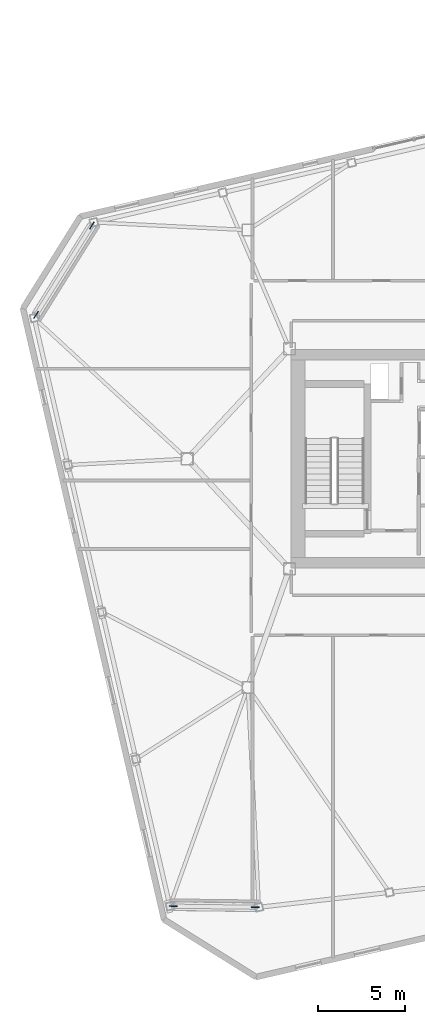
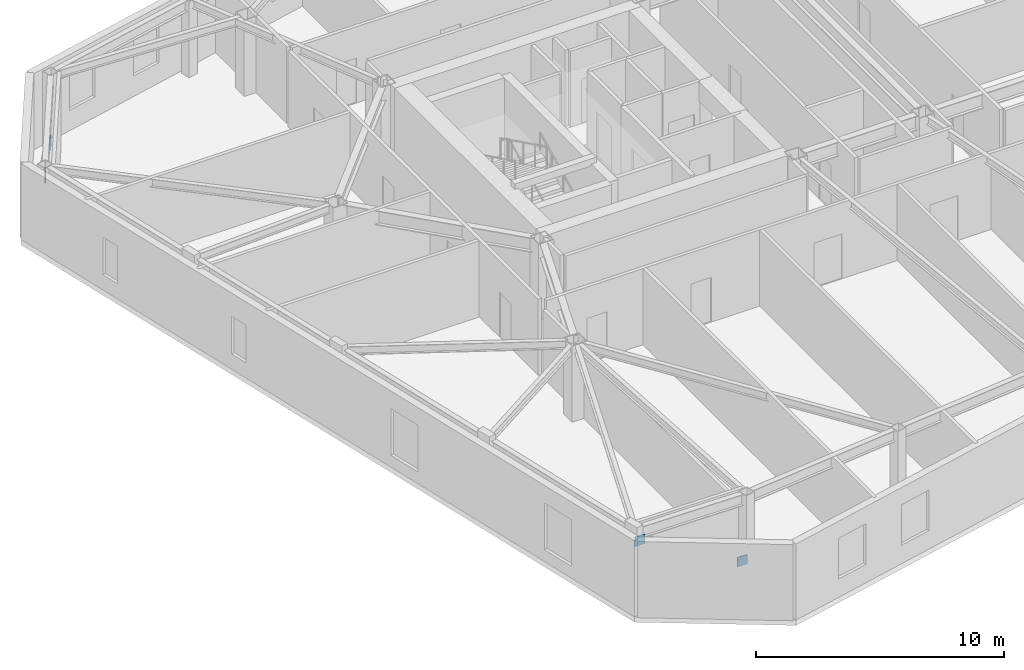
# One storey, part 21 of 23: 4 discrete accessories.
"""IFC4 building model written with IfcOpenShell, lengths in metres."""

from ifc_helpers import new_model, si_unit, direction, frame, origin, origin_2d, place, context, subcontext, project, spatial, rectangle, extrude, material, type_object, element, save


model = new_model("IFC4")

# Units and contexts
model_context = context("Model", 3, precision=1e-05, world=origin(), true_north=direction((0.0, 1.0)))
body_context = subcontext(model_context, "Body", "Model", "MODEL_VIEW")
ifc_project = project(units=[si_unit("LENGTHUNIT", "METRE"), si_unit("AREAUNIT", "SQUARE_METRE"), si_unit("VOLUMEUNIT", "CUBIC_METRE"), si_unit("PLANEANGLEUNIT", "RADIAN"), si_unit("MASSUNIT", "GRAM", prefix="KILO")], contexts=[model_context])

# Site, building, storey
site_placement = place(None, origin())
site = spatial("IfcSite", under=ifc_project, at=site_placement, CompositionType="ELEMENT")
building_placement = place(site_placement, origin())
building = spatial("IfcBuilding", under=site, at=building_placement, Name="Tavrogorsk Clinical Tower", CompositionType="ELEMENT")
storey_placement = place(building_placement, frame((0.0, 0.0, 297.0)))
storey = spatial("IfcBuildingStorey", under=building, at=storey_placement, Name="L69", CompositionType="ELEMENT", Elevation=297.0)

# Discrete accessories
ifc_material = material(Name="Structural steel S440", Category="steel")
discrete_accessory_type = type_object("IfcDiscreteAccessoryType", Name="GussetPlateBracket_25", PredefinedType="BRACKET", material=ifc_material)
for number, where, z_axis, x_axis, name in (
    (1, (-33.501708984375, 13.4638671875, 0.163330078125), (0.0, 0.0, 1.0), (-0.529919264233, -0.848048096156, 0.0), "L69 Brace Gusset Plate EXOCRN-L69-3-A"),
    (2, (-36.72265625, 8.30908203125, 2.81689453125), (0.0, 0.0, 1.0), (-0.529919264233, -0.848048096156, 0.0), "L69 Brace Gusset Plate EXOCRN-L69-3-B"),
    (3, (-24.07080078125, -25.883056640625, 0.182861328125), (0.0, 0.0, 1.0), (-0.999914327574, 0.013089595571, 0.0), "L69 Brace Gusset Plate EXOCRN-L69-4-A"),
    (4, (-28.794677734375, -25.821533203125, 2.797119140625), (0.0, 0.0, 1.0), (-0.999914327574, 0.013089595571, 0.0), "L69 Brace Gusset Plate EXOCRN-L69-4-B"),
):
    element("IfcDiscreteAccessory", number, at=place(storey_placement, frame(where, z_axis=z_axis, x_axis=x_axis)), inside=storey, type_object=discrete_accessory_type, Name=name, PredefinedType="BRACKET", context=body_context, shape_type="SweptSolid", body=[
        extrude(rectangle(XDim=0.4599609375, YDim=0.0400390625, at=origin_2d()), origin(), (0.0, 0.0, 1.0), 0.4599609375),
    ])

save(model, "model.ifc")
